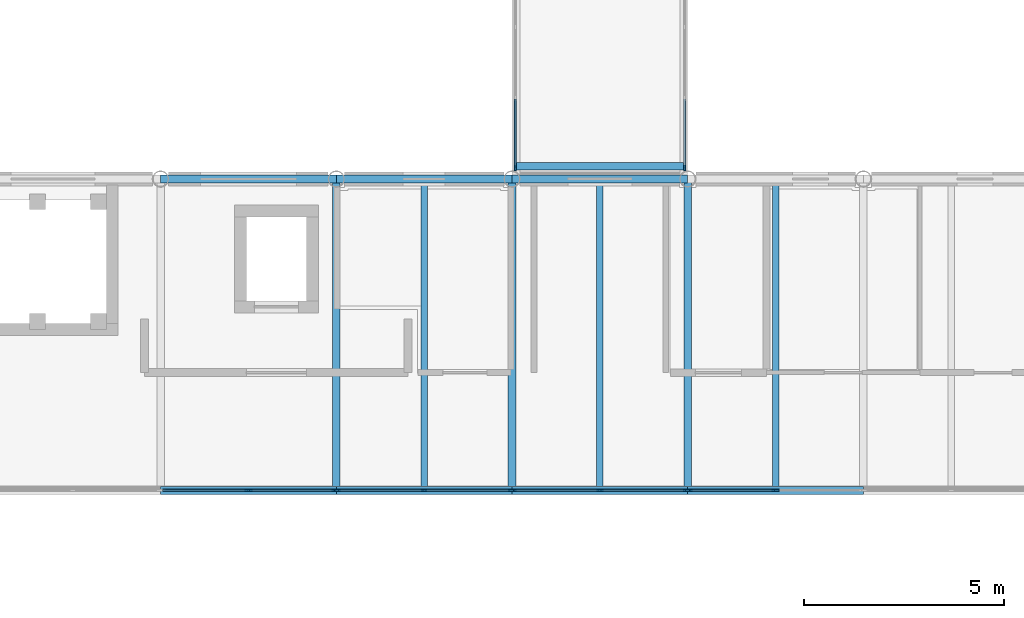
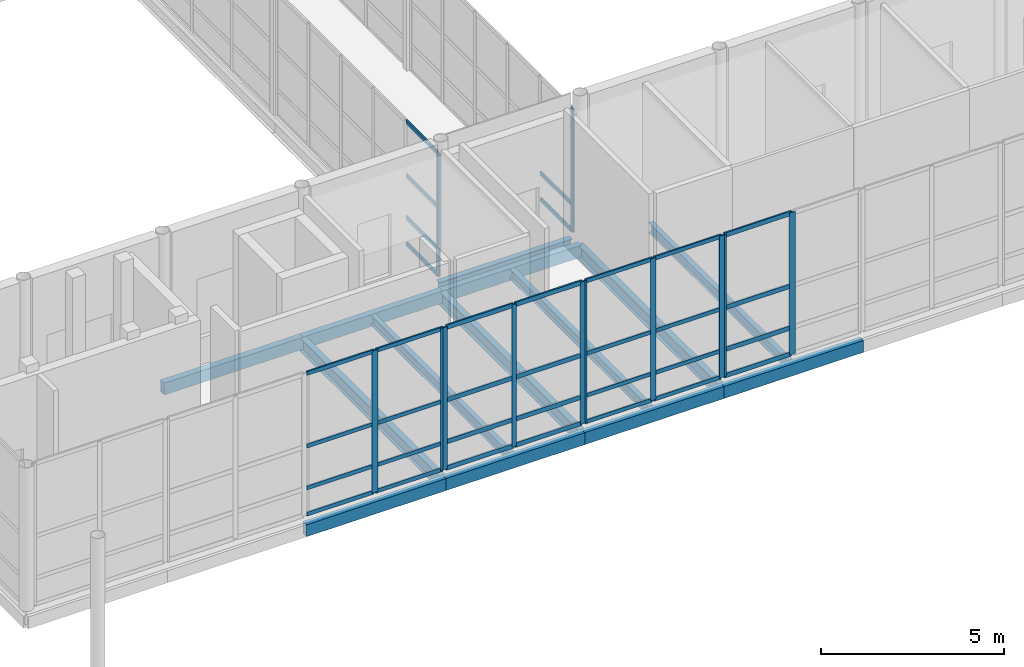
# One storey, part 47 of 138: 46 members, 14 beams, 6 elements without a shape of their own.
"""IFC4 building model written with IfcOpenShell, lengths in metres."""

from ifc_helpers import new_model, si_unit, direction, frame, origin, origin_2d, place, context, subcontext, project, spatial, rectangle, hollow_rectangle, i_section, extrude, material, layer, layer_set, material_profile, profile_set, type_object, element, aggregate, save


model = new_model("IFC4")

# Units and contexts
model_context = context("Model", 3, precision=1e-05, world=origin(), true_north=direction((0.0, 1.0)))
body_context = subcontext(model_context, "Body", "Model", "MODEL_VIEW")
ifc_project = project(units=[si_unit("LENGTHUNIT", "METRE"), si_unit("AREAUNIT", "SQUARE_METRE"), si_unit("VOLUMEUNIT", "CUBIC_METRE"), si_unit("PLANEANGLEUNIT", "RADIAN"), si_unit("MASSUNIT", "GRAM", prefix="KILO")], contexts=[model_context])

# Site, building, storey
site_placement = place(None, origin())
site = spatial("IfcSite", under=ifc_project, at=site_placement, CompositionType="ELEMENT")
building_placement = place(site_placement, origin())
building = spatial("IfcBuilding", under=site, at=building_placement, Name="Celorna Specialist Clinic", CompositionType="ELEMENT")
storey_placement = place(building_placement, frame((0.0, 0.0, 4.800048828125)))
storey = spatial("IfcBuildingStorey", under=building, at=storey_placement, Name="L01", CompositionType="ELEMENT", Elevation=4.800048828125)

# Beams
ifc_material_1 = material(Name="Steel S355", Category="steel")
ifc_material_profile_1 = material_profile(ifc_material_1, i_section(OverallWidth=0.18994140625, OverallDepth=0.449951171875, WebThickness=0.009521484375, FlangeThickness=0.0146484375, at=origin_2d()), Name="IPE 450")
ifc_profile_set_1 = profile_set([ifc_material_profile_1], Name="Steel S355")
beam_type_1 = type_object("IfcBeamType", Name="BM-09", PredefinedType="BEAM", material=ifc_profile_set_1)
for number, where, z_axis, x_axis, name in (
    (1, (67.800048828125, 70.199951171875, -0.485107421875), (0.0, 1.0, 0.0), (-1.0, 0.0, 0.0), "Transverse girder BM-09 #214"),
    (2, (72.199951171875, 70.199951171875, -0.485107421875), (0.0, 1.0, 0.0), (-1.0, 0.0, 0.0), "Transverse girder BM-09 #215"),
    (3, (76.60009765625, 70.199951171875, -0.485107421875), (0.0, 1.0, 0.0), (-1.0, 0.0, 0.0), "Transverse girder BM-09 #216"),
):
    element("IfcBeam", number, at=place(storey_placement, frame(where, z_axis=z_axis, x_axis=x_axis)), inside=storey, type_object=beam_type_1, Name=name, PredefinedType="BEAM", context=body_context, shape_type="SweptSolid", body=[
        extrude(i_section(OverallWidth=0.18994140625, OverallDepth=0.449951171875, WebThickness=0.009521484375, FlangeThickness=0.0146484375, at=origin_2d()), origin(), (0.0, 0.0, 1.0), 7.800048828125),
    ])
ifc_material_profile_2 = material_profile(ifc_material_1, i_section(OverallWidth=0.179931640625, OverallDepth=0.39990234375, WebThickness=0.008544921875, FlangeThickness=0.013427734375, at=origin_2d()), Name="IPE 400")
ifc_profile_set_2 = profile_set([ifc_material_profile_2], Name="Steel S355")
beam_type_2 = type_object("IfcBeamType", Name="BM-10", PredefinedType="BEAM", material=ifc_profile_set_2)
beam_1_placement = place(storey_placement, frame((72.300048828125, 78.320068359375, -0.420166015625), z_axis=(1.0, 0.0, 0.0), x_axis=(0.0, 1.0, 0.0)))
element("IfcBeam", 4, at=beam_1_placement, inside=storey, type_object=beam_type_2, Name="Bridge BR-04 transverse beam BM-10 #103", PredefinedType="BEAM", context=body_context, shape_type="SweptSolid", body=[
    extrude(i_section(OverallWidth=0.179931640625, OverallDepth=0.39990234375, WebThickness=0.008544921875, FlangeThickness=0.013427734375, at=origin_2d()), origin(), (0.0, 0.0, 1.0), 4.199951171875),
])
ifc_material_profile_3 = material_profile(ifc_material_1, i_section(OverallWidth=0.159912109375, OverallDepth=0.330078125, WebThickness=0.007568359375, FlangeThickness=0.011474609375, at=origin_2d()), Name="IPE 330")
ifc_profile_set_3 = profile_set([ifc_material_profile_3], Name="Steel S355")
beam_type_3 = type_object("IfcBeamType", Name="BM-12", PredefinedType="JOIST", material=ifc_profile_set_3)
for number, where, z_axis, x_axis, name in (
    (5, (70.0, 70.2880859375, -0.425048828125), (0.0, 1.0, 0.0), (-1.0, 0.0, 0.0), "Secondary floor joist BM-12 #223"),
    (6, (74.39990234375, 70.2880859375, -0.425048828125), (0.0, 1.0, 0.0), (-1.0, 0.0, 0.0), "Secondary floor joist BM-12 #224"),
    (7, (78.800048828125, 70.2880859375, -0.425048828125), (0.0, 1.0, 0.0), (-1.0, 0.0, 0.0), "Secondary floor joist BM-12 #225"),
):
    element("IfcBeam", number, at=place(storey_placement, frame(where, z_axis=z_axis, x_axis=x_axis)), inside=storey, type_object=beam_type_3, Name=name, PredefinedType="JOIST", context=body_context, shape_type="SweptSolid", body=[
        extrude(i_section(OverallWidth=0.159912109375, OverallDepth=0.330078125, WebThickness=0.007568359375, FlangeThickness=0.011474609375, at=origin_2d()), origin(), (0.0, 0.0, 1.0), 7.6240234375),
    ])
ifc_material_profile_4 = material_profile(ifc_material_1, hollow_rectangle(XDim=0.199951171875, YDim=0.39990234375, WallThickness=0.011962890625, at=origin_2d()), Name="RHS 200x400x12")
ifc_profile_set_4 = profile_set([ifc_material_profile_4], Name="Steel S355")
beam_type_4 = type_object("IfcBeamType", Name="BM-15", PredefinedType="SPANDREL", material=ifc_profile_set_4)
beam_2_placement = place(storey_placement, frame((63.39990234375, 70.199951171875, -0.4599609375), z_axis=(1.0, 0.0, 0.0), x_axis=(0.0, 1.0, 0.0)))
element("IfcBeam", 8, at=beam_2_placement, inside=storey, type_object=beam_type_4, Name="Spandrel beam BM-15 #192", PredefinedType="SPANDREL", context=body_context, shape_type="SweptSolid", body=[
    extrude(hollow_rectangle(XDim=0.199951171875, YDim=0.39990234375, WallThickness=0.011962890625, at=origin_2d()), origin(), (0.0, 0.0, 1.0), 4.400146484375),
])
beam_3_placement = place(storey_placement, frame((67.800048828125, 70.199951171875, -0.4599609375), z_axis=(1.0, 0.0, 0.0), x_axis=(0.0, 1.0, 0.0)))
element("IfcBeam", 9, at=beam_3_placement, inside=storey, type_object=beam_type_4, Name="Spandrel beam BM-15 #193", PredefinedType="SPANDREL", context=body_context, shape_type="SweptSolid", body=[
    extrude(hollow_rectangle(XDim=0.199951171875, YDim=0.39990234375, WallThickness=0.011962890625, at=origin_2d()), origin(), (0.0, 0.0, 1.0), 4.39990234375),
])
beam_4_placement = place(storey_placement, frame((72.199951171875, 70.199951171875, -0.4599609375), z_axis=(1.0, 0.0, 0.0), x_axis=(0.0, 1.0, 0.0)))
element("IfcBeam", 10, at=beam_4_placement, inside=storey, type_object=beam_type_4, Name="Spandrel beam BM-15 #194", PredefinedType="SPANDREL", context=body_context, shape_type="SweptSolid", body=[
    extrude(hollow_rectangle(XDim=0.199951171875, YDim=0.39990234375, WallThickness=0.011962890625, at=origin_2d()), origin(), (0.0, 0.0, 1.0), 4.400146484375),
])
beam_5_placement = place(storey_placement, frame((76.60009765625, 70.199951171875, -0.4599609375), z_axis=(1.0, 0.0, 0.0), x_axis=(0.0, 1.0, 0.0)))
element("IfcBeam", 11, at=beam_5_placement, inside=storey, type_object=beam_type_4, Name="Spandrel beam BM-15 #195", PredefinedType="SPANDREL", context=body_context, shape_type="SweptSolid", body=[
    extrude(hollow_rectangle(XDim=0.199951171875, YDim=0.39990234375, WallThickness=0.011962890625, at=origin_2d()), origin(), (0.0, 0.0, 1.0), 4.39990234375),
])
beam_6_placement = place(storey_placement, frame((63.39990234375, 78.0, -0.4599609375), z_axis=(1.0, 0.0, 0.0), x_axis=(0.0, 1.0, 0.0)))
element("IfcBeam", 12, at=beam_6_placement, inside=storey, type_object=beam_type_4, Name="Spandrel beam BM-15 #203", PredefinedType="SPANDREL", context=body_context, shape_type="SweptSolid", body=[
    extrude(hollow_rectangle(XDim=0.199951171875, YDim=0.39990234375, WallThickness=0.011962890625, at=origin_2d()), origin(), (0.0, 0.0, 1.0), 4.400146484375),
])
beam_7_placement = place(storey_placement, frame((67.800048828125, 78.0, -0.4599609375), z_axis=(1.0, 0.0, 0.0), x_axis=(0.0, 1.0, 0.0)))
element("IfcBeam", 13, at=beam_7_placement, inside=storey, type_object=beam_type_4, Name="Spandrel beam BM-15 #204", PredefinedType="SPANDREL", context=body_context, shape_type="SweptSolid", body=[
    extrude(hollow_rectangle(XDim=0.199951171875, YDim=0.39990234375, WallThickness=0.011962890625, at=origin_2d()), origin(), (0.0, 0.0, 1.0), 4.39990234375),
])
beam_8_placement = place(storey_placement, frame((72.199951171875, 78.0, -0.4599609375), z_axis=(1.0, 0.0, 0.0), x_axis=(0.0, 1.0, 0.0)))
element("IfcBeam", 14, at=beam_8_placement, inside=storey, type_object=beam_type_4, Name="Spandrel beam BM-15 #205", PredefinedType="SPANDREL", context=body_context, shape_type="SweptSolid", body=[
    extrude(hollow_rectangle(XDim=0.199951171875, YDim=0.39990234375, WallThickness=0.011962890625, at=origin_2d()), origin(), (0.0, 0.0, 1.0), 4.400146484375),
])

# Curtain wall, members
ifc_material_2 = material(Name="Thermally broken aluminium and solar-control glass curtain wall", Category="aluminium")
ifc_layer_1 = layer(ifc_material_2, 0.159912109375, Name="Thermally broken aluminium and solar-control glass curtain wall")
ifc_layer_set_1 = layer_set([ifc_layer_1], Name="Thermally broken aluminium and solar-control glass curtain wall")
curtain_wall_type_1 = type_object("IfcCurtainWallType", Name="CW-09", PredefinedType="NOTDEFINED", material=ifc_layer_set_1)
curtain_wall_1_placement = place(storey_placement, origin())
curtain_wall_1 = element("IfcCurtainWall", 15, at=curtain_wall_1_placement, inside=storey, type_object=curtain_wall_type_1, Name="Curtain wall CW-09 #30", PredefinedType="NOTDEFINED")
ifc_material_3 = material(Name="Anodized aluminium mullion", Category="aluminium")
ifc_material_profile_5 = material_profile(ifc_material_3, rectangle(XDim=0.050048828125, YDim=0.159912109375, at=origin_2d()), Name="ALU MULLION 50x160")
ifc_profile_set_5 = profile_set([ifc_material_profile_5], Name="Anodized aluminium mullion")
member_type_1 = type_object("IfcMemberType", Name="ML-01", PredefinedType="MULLION", material=ifc_profile_set_5)
member_1_placement = place(storey_placement, frame((76.571044921875, 70.199951171875, 0.0), z_axis=(0.0, 0.0, 1.0), x_axis=(0.0, -1.0, 0.0)))
member_1 = element("IfcMember", 16, at=member_1_placement, type_object=member_type_1, Name="CW-09 mullion 1", PredefinedType="MULLION", context=body_context, shape_type="SweptSolid", body=[
    extrude(rectangle(XDim=0.050048828125, YDim=0.159912109375, at=origin_2d()), origin(), (0.0, 0.0, 1.0), 4.75),
])
member_2_placement = place(storey_placement, frame((74.39990234375, 70.199951171875, 0.0), z_axis=(0.0, 0.0, 1.0), x_axis=(0.0, -1.0, 0.0)))
member_2 = element("IfcMember", 17, at=member_2_placement, type_object=member_type_1, Name="CW-09 mullion 2", PredefinedType="MULLION", context=body_context, shape_type="SweptSolid", body=[
    extrude(rectangle(XDim=0.050048828125, YDim=0.159912109375, at=origin_2d()), origin(), (0.0, 0.0, 1.0), 4.75),
])
member_3_placement = place(storey_placement, frame((72.22900390625, 70.199951171875, 0.0), z_axis=(0.0, 0.0, 1.0), x_axis=(0.0, -1.0, 0.0)))
member_3 = element("IfcMember", 18, at=member_3_placement, type_object=member_type_1, Name="CW-09 mullion 3", PredefinedType="MULLION", context=body_context, shape_type="SweptSolid", body=[
    extrude(rectangle(XDim=0.050048828125, YDim=0.159912109375, at=origin_2d()), origin(), (0.0, 0.0, 1.0), 4.75),
])

ifc_layer_2 = layer(ifc_material_2, 0.159912109375, Name="Thermally broken aluminium and solar-control glass curtain wall")
ifc_layer_set_2 = layer_set([ifc_layer_2], Name="Thermally broken aluminium and solar-control glass curtain wall")
curtain_wall_type_2 = type_object("IfcCurtainWallType", Name="CW-10", PredefinedType="NOTDEFINED", material=ifc_layer_set_2)
curtain_wall_2_placement = place(storey_placement, origin())
curtain_wall_2 = element("IfcCurtainWall", 19, at=curtain_wall_2_placement, inside=storey, type_object=curtain_wall_type_2, Name="Curtain wall CW-10 #28", PredefinedType="NOTDEFINED")
ifc_material_profile_6 = material_profile(ifc_material_3, rectangle(XDim=0.050048828125, YDim=0.179931640625, at=origin_2d()), Name="ALU MULLION 50x180")
ifc_profile_set_6 = profile_set([ifc_material_profile_6], Name="Anodized aluminium mullion")
member_type_2 = type_object("IfcMemberType", Name="ML-02", PredefinedType="MULLION", material=ifc_profile_set_6)
member_4_placement = place(storey_placement, frame((67.77099609375, 70.199951171875, 0.0), z_axis=(0.0, 0.0, 1.0), x_axis=(0.0, -1.0, 0.0)))
member_4 = element("IfcMember", 20, at=member_4_placement, type_object=member_type_2, Name="CW-10 mullion 1", PredefinedType="MULLION", context=body_context, shape_type="SweptSolid", body=[
    extrude(rectangle(XDim=0.050048828125, YDim=0.179931640625, at=origin_2d()), origin(), (0.0, 0.0, 1.0), 4.75),
])
member_5_placement = place(storey_placement, frame((65.60009765625, 70.199951171875, 0.0), z_axis=(0.0, 0.0, 1.0), x_axis=(0.0, -1.0, 0.0)))
member_5 = element("IfcMember", 21, at=member_5_placement, type_object=member_type_2, Name="CW-10 mullion 2", PredefinedType="MULLION", context=body_context, shape_type="SweptSolid", body=[
    extrude(rectangle(XDim=0.050048828125, YDim=0.179931640625, at=origin_2d()), origin(), (0.0, 0.0, 1.0), 4.75),
])

curtain_wall_3_placement = place(storey_placement, origin())
curtain_wall_3 = element("IfcCurtainWall", 22, at=curtain_wall_3_placement, inside=storey, type_object=curtain_wall_type_2, Name="Curtain wall CW-10 #31", PredefinedType="NOTDEFINED")
member_6_placement = place(storey_placement, frame((78.800048828125, 70.199951171875, 0.0), z_axis=(0.0, 0.0, 1.0), x_axis=(0.0, -1.0, 0.0)))
member_6 = element("IfcMember", 23, at=member_6_placement, type_object=member_type_2, Name="CW-10 mullion 2", PredefinedType="MULLION", context=body_context, shape_type="SweptSolid", body=[
    extrude(rectangle(XDim=0.050048828125, YDim=0.179931640625, at=origin_2d()), origin(), (0.0, 0.0, 1.0), 4.75),
])
member_7_placement = place(storey_placement, frame((76.62890625, 70.199951171875, 0.0), z_axis=(0.0, 0.0, 1.0), x_axis=(0.0, -1.0, 0.0)))
member_7 = element("IfcMember", 24, at=member_7_placement, type_object=member_type_2, Name="CW-10 mullion 3", PredefinedType="MULLION", context=body_context, shape_type="SweptSolid", body=[
    extrude(rectangle(XDim=0.050048828125, YDim=0.179931640625, at=origin_2d()), origin(), (0.0, 0.0, 1.0), 4.75),
])

ifc_layer_3 = layer(ifc_material_2, 0.159912109375, Name="Thermally broken aluminium and solar-control glass curtain wall")
ifc_layer_set_3 = layer_set([ifc_layer_3], Name="Thermally broken aluminium and solar-control glass curtain wall")
curtain_wall_type_3 = type_object("IfcCurtainWallType", Name="CW-11", PredefinedType="NOTDEFINED", material=ifc_layer_set_3)
curtain_wall_4_placement = place(storey_placement, origin())
curtain_wall_4 = element("IfcCurtainWall", 25, at=curtain_wall_4_placement, inside=storey, type_object=curtain_wall_type_3, Name="Curtain wall CW-11 #29", PredefinedType="NOTDEFINED")
ifc_material_profile_7 = material_profile(ifc_material_3, rectangle(XDim=0.050048828125, YDim=0.139892578125, at=origin_2d()), Name="ALU MULLION 50x140")
ifc_profile_set_7 = profile_set([ifc_material_profile_7], Name="Anodized aluminium mullion")
member_type_3 = type_object("IfcMemberType", Name="ML-03", PredefinedType="MULLION", material=ifc_profile_set_7)
member_8_placement = place(storey_placement, frame((72.1708984375, 70.199951171875, 0.0), z_axis=(0.0, 0.0, 1.0), x_axis=(0.0, -1.0, 0.0)))
member_8 = element("IfcMember", 26, at=member_8_placement, type_object=member_type_3, Name="CW-11 mullion 1", PredefinedType="MULLION", context=body_context, shape_type="SweptSolid", body=[
    extrude(rectangle(XDim=0.050048828125, YDim=0.139892578125, at=origin_2d()), origin(), (0.0, 0.0, 1.0), 4.75),
])
member_9_placement = place(storey_placement, frame((70.0, 70.199951171875, 0.0), z_axis=(0.0, 0.0, 1.0), x_axis=(0.0, -1.0, 0.0)))
member_9 = element("IfcMember", 27, at=member_9_placement, type_object=member_type_3, Name="CW-11 mullion 2", PredefinedType="MULLION", context=body_context, shape_type="SweptSolid", body=[
    extrude(rectangle(XDim=0.050048828125, YDim=0.139892578125, at=origin_2d()), origin(), (0.0, 0.0, 1.0), 4.75),
])
member_10_placement = place(storey_placement, frame((67.8291015625, 70.199951171875, 0.0), z_axis=(0.0, 0.0, 1.0), x_axis=(0.0, -1.0, 0.0)))
member_10 = element("IfcMember", 28, at=member_10_placement, type_object=member_type_3, Name="CW-11 mullion 3", PredefinedType="MULLION", context=body_context, shape_type="SweptSolid", body=[
    extrude(rectangle(XDim=0.050048828125, YDim=0.139892578125, at=origin_2d()), origin(), (0.0, 0.0, 1.0), 4.75),
])

# Curtain wall, member
ifc_layer_4 = layer(ifc_material_2, 0.159912109375, Name="Thermally broken aluminium and solar-control glass curtain wall")
ifc_layer_set_4 = layer_set([ifc_layer_4], Name="Thermally broken aluminium and solar-control glass curtain wall")
curtain_wall_type_4 = type_object("IfcCurtainWallType", Name="CW-113", PredefinedType="NOTDEFINED", material=ifc_layer_set_4)
curtain_wall_5_placement = place(storey_placement, origin())
curtain_wall_5 = element("IfcCurtainWall", 29, at=curtain_wall_5_placement, inside=storey, type_object=curtain_wall_type_4, Name="Curtain wall CW-113 #210", PredefinedType="NOTDEFINED")
member_11_placement = place(storey_placement, frame((72.280029296875, 78.27490234375, 0.0), z_axis=(0.0, 0.0, 1.0), x_axis=(-1.0, 0.0, 0.0)))
member_11 = element("IfcMember", 30, at=member_11_placement, type_object=member_type_3, Name="CW-113 mullion 1", PredefinedType="MULLION", context=body_context, shape_type="SweptSolid", body=[
    extrude(rectangle(XDim=0.050048828125, YDim=0.139892578125, at=origin_2d()), origin(), (0.0, 0.0, 1.0), 4.1298828125),
])

curtain_wall_6_placement = place(storey_placement, origin())
curtain_wall_6 = element("IfcCurtainWall", 31, at=curtain_wall_6_placement, inside=storey, type_object=curtain_wall_type_4, Name="Curtain wall CW-113 #215", PredefinedType="NOTDEFINED")
member_12_placement = place(storey_placement, frame((76.52001953125, 78.27490234375, 0.0), z_axis=(0.0, 0.0, 1.0), x_axis=(1.0, 0.0, 0.0)))
member_12 = element("IfcMember", 32, at=member_12_placement, type_object=member_type_3, Name="CW-113 mullion 6", PredefinedType="MULLION", context=body_context, shape_type="SweptSolid", body=[
    extrude(rectangle(XDim=0.050048828125, YDim=0.139892578125, at=origin_2d()), origin(), (0.0, 0.0, 1.0), 4.1298828125),
])

# Member
ifc_material_4 = material(Name="Anodized aluminium transom", Category="aluminium")
ifc_material_profile_8 = material_profile(ifc_material_4, rectangle(XDim=0.050048828125, YDim=0.1298828125, at=origin_2d()), Name="ALU TRANSOM 50x130")
ifc_profile_set_8 = profile_set([ifc_material_profile_8], Name="Anodized aluminium transom")
member_type_4 = type_object("IfcMemberType", Name="TR-01", PredefinedType="USERDEFINED", material=ifc_profile_set_8)
member_13_placement = place(storey_placement, frame((67.74609375, 70.199951171875, 0.02490234375), z_axis=(-1.0, 0.0, 0.0), x_axis=(0.0, -1.0, 0.0)))
member_13 = element("IfcMember", 33, at=member_13_placement, type_object=member_type_4, Name="CW-10 transom 1.1", ObjectType="TRANSOM", PredefinedType="USERDEFINED", context=body_context, shape_type="SweptSolid", body=[
    extrude(rectangle(XDim=0.050048828125, YDim=0.1298828125, at=origin_2d()), origin(), (0.0, 0.0, 1.0), 2.12109375),
])

member_14_placement = place(storey_placement, frame((67.74609375, 70.199951171875, 0.89990234375), z_axis=(-1.0, 0.0, 0.0), x_axis=(0.0, -1.0, 0.0)))
member_14 = element("IfcMember", 34, at=member_14_placement, type_object=member_type_4, Name="CW-10 transom 1.2", ObjectType="TRANSOM", PredefinedType="USERDEFINED", context=body_context, shape_type="SweptSolid", body=[
    extrude(rectangle(XDim=0.050048828125, YDim=0.1298828125, at=origin_2d()), origin(), (0.0, 0.0, 1.0), 2.12109375),
])

member_15_placement = place(storey_placement, frame((67.74609375, 70.199951171875, 2.300048828125), z_axis=(-1.0, 0.0, 0.0), x_axis=(0.0, -1.0, 0.0)))
member_15 = element("IfcMember", 35, at=member_15_placement, type_object=member_type_4, Name="CW-10 transom 1.3", ObjectType="TRANSOM", PredefinedType="USERDEFINED", context=body_context, shape_type="SweptSolid", body=[
    extrude(rectangle(XDim=0.050048828125, YDim=0.1298828125, at=origin_2d()), origin(), (0.0, 0.0, 1.0), 2.12109375),
])

member_16_placement = place(storey_placement, frame((67.74609375, 70.199951171875, 4.724853515625), z_axis=(-1.0, 0.0, 0.0), x_axis=(0.0, -1.0, 0.0)))
member_16 = element("IfcMember", 36, at=member_16_placement, type_object=member_type_4, Name="CW-10 transom 1.4", ObjectType="TRANSOM", PredefinedType="USERDEFINED", context=body_context, shape_type="SweptSolid", body=[
    extrude(rectangle(XDim=0.050048828125, YDim=0.1298828125, at=origin_2d()), origin(), (0.0, 0.0, 1.0), 2.12109375),
])

member_17_placement = place(storey_placement, frame((65.574951171875, 70.199951171875, 0.02490234375), z_axis=(-1.0, 0.0, 0.0), x_axis=(0.0, -1.0, 0.0)))
member_17 = element("IfcMember", 37, at=member_17_placement, type_object=member_type_4, Name="CW-10 transom 2.1", ObjectType="TRANSOM", PredefinedType="USERDEFINED", context=body_context, shape_type="SweptSolid", body=[
    extrude(rectangle(XDim=0.050048828125, YDim=0.1298828125, at=origin_2d()), origin(), (0.0, 0.0, 1.0), 2.120849609375),
])

member_18_placement = place(storey_placement, frame((65.574951171875, 70.199951171875, 0.89990234375), z_axis=(-1.0, 0.0, 0.0), x_axis=(0.0, -1.0, 0.0)))
member_18 = element("IfcMember", 38, at=member_18_placement, type_object=member_type_4, Name="CW-10 transom 2.2", ObjectType="TRANSOM", PredefinedType="USERDEFINED", context=body_context, shape_type="SweptSolid", body=[
    extrude(rectangle(XDim=0.050048828125, YDim=0.1298828125, at=origin_2d()), origin(), (0.0, 0.0, 1.0), 2.120849609375),
])

member_19_placement = place(storey_placement, frame((65.574951171875, 70.199951171875, 2.300048828125), z_axis=(-1.0, 0.0, 0.0), x_axis=(0.0, -1.0, 0.0)))
member_19 = element("IfcMember", 39, at=member_19_placement, type_object=member_type_4, Name="CW-10 transom 2.3", ObjectType="TRANSOM", PredefinedType="USERDEFINED", context=body_context, shape_type="SweptSolid", body=[
    extrude(rectangle(XDim=0.050048828125, YDim=0.1298828125, at=origin_2d()), origin(), (0.0, 0.0, 1.0), 2.120849609375),
])

member_20_placement = place(storey_placement, frame((65.574951171875, 70.199951171875, 4.724853515625), z_axis=(-1.0, 0.0, 0.0), x_axis=(0.0, -1.0, 0.0)))
member_20 = element("IfcMember", 40, at=member_20_placement, type_object=member_type_4, Name="CW-10 transom 2.4", ObjectType="TRANSOM", PredefinedType="USERDEFINED", context=body_context, shape_type="SweptSolid", body=[
    extrude(rectangle(XDim=0.050048828125, YDim=0.1298828125, at=origin_2d()), origin(), (0.0, 0.0, 1.0), 2.120849609375),
])

aggregate(curtain_wall_2, [member_4, member_5, member_13, member_14, member_15, member_16, member_17, member_18, member_19, member_20])

member_21_placement = place(storey_placement, frame((76.5458984375, 70.199951171875, 0.02490234375), z_axis=(-1.0, 0.0, 0.0), x_axis=(0.0, -1.0, 0.0)))
member_21 = element("IfcMember", 41, at=member_21_placement, type_object=member_type_4, Name="CW-09 transom 1.1", ObjectType="TRANSOM", PredefinedType="USERDEFINED", context=body_context, shape_type="SweptSolid", body=[
    extrude(rectangle(XDim=0.050048828125, YDim=0.1298828125, at=origin_2d()), origin(), (0.0, 0.0, 1.0), 2.120849609375),
])

member_22_placement = place(storey_placement, frame((76.5458984375, 70.199951171875, 0.89990234375), z_axis=(-1.0, 0.0, 0.0), x_axis=(0.0, -1.0, 0.0)))
member_22 = element("IfcMember", 42, at=member_22_placement, type_object=member_type_4, Name="CW-09 transom 1.2", ObjectType="TRANSOM", PredefinedType="USERDEFINED", context=body_context, shape_type="SweptSolid", body=[
    extrude(rectangle(XDim=0.050048828125, YDim=0.1298828125, at=origin_2d()), origin(), (0.0, 0.0, 1.0), 2.120849609375),
])

member_23_placement = place(storey_placement, frame((76.5458984375, 70.199951171875, 2.300048828125), z_axis=(-1.0, 0.0, 0.0), x_axis=(0.0, -1.0, 0.0)))
member_23 = element("IfcMember", 43, at=member_23_placement, type_object=member_type_4, Name="CW-09 transom 1.3", ObjectType="TRANSOM", PredefinedType="USERDEFINED", context=body_context, shape_type="SweptSolid", body=[
    extrude(rectangle(XDim=0.050048828125, YDim=0.1298828125, at=origin_2d()), origin(), (0.0, 0.0, 1.0), 2.120849609375),
])

member_24_placement = place(storey_placement, frame((76.5458984375, 70.199951171875, 4.724853515625), z_axis=(-1.0, 0.0, 0.0), x_axis=(0.0, -1.0, 0.0)))
member_24 = element("IfcMember", 44, at=member_24_placement, type_object=member_type_4, Name="CW-09 transom 1.4", ObjectType="TRANSOM", PredefinedType="USERDEFINED", context=body_context, shape_type="SweptSolid", body=[
    extrude(rectangle(XDim=0.050048828125, YDim=0.1298828125, at=origin_2d()), origin(), (0.0, 0.0, 1.0), 2.120849609375),
])

member_25_placement = place(storey_placement, frame((74.375, 70.199951171875, 0.02490234375), z_axis=(-1.0, 0.0, 0.0), x_axis=(0.0, -1.0, 0.0)))
member_25 = element("IfcMember", 45, at=member_25_placement, type_object=member_type_4, Name="CW-09 transom 2.1", ObjectType="TRANSOM", PredefinedType="USERDEFINED", context=body_context, shape_type="SweptSolid", body=[
    extrude(rectangle(XDim=0.050048828125, YDim=0.1298828125, at=origin_2d()), origin(), (0.0, 0.0, 1.0), 2.12109375),
])

member_26_placement = place(storey_placement, frame((74.375, 70.199951171875, 0.89990234375), z_axis=(-1.0, 0.0, 0.0), x_axis=(0.0, -1.0, 0.0)))
member_26 = element("IfcMember", 46, at=member_26_placement, type_object=member_type_4, Name="CW-09 transom 2.2", ObjectType="TRANSOM", PredefinedType="USERDEFINED", context=body_context, shape_type="SweptSolid", body=[
    extrude(rectangle(XDim=0.050048828125, YDim=0.1298828125, at=origin_2d()), origin(), (0.0, 0.0, 1.0), 2.12109375),
])

member_27_placement = place(storey_placement, frame((74.375, 70.199951171875, 2.300048828125), z_axis=(-1.0, 0.0, 0.0), x_axis=(0.0, -1.0, 0.0)))
member_27 = element("IfcMember", 47, at=member_27_placement, type_object=member_type_4, Name="CW-09 transom 2.3", ObjectType="TRANSOM", PredefinedType="USERDEFINED", context=body_context, shape_type="SweptSolid", body=[
    extrude(rectangle(XDim=0.050048828125, YDim=0.1298828125, at=origin_2d()), origin(), (0.0, 0.0, 1.0), 2.12109375),
])

member_28_placement = place(storey_placement, frame((74.375, 70.199951171875, 4.724853515625), z_axis=(-1.0, 0.0, 0.0), x_axis=(0.0, -1.0, 0.0)))
member_28 = element("IfcMember", 48, at=member_28_placement, type_object=member_type_4, Name="CW-09 transom 2.4", ObjectType="TRANSOM", PredefinedType="USERDEFINED", context=body_context, shape_type="SweptSolid", body=[
    extrude(rectangle(XDim=0.050048828125, YDim=0.1298828125, at=origin_2d()), origin(), (0.0, 0.0, 1.0), 2.12109375),
])

aggregate(curtain_wall_1, [member_1, member_2, member_3, member_21, member_22, member_23, member_24, member_25, member_26, member_27, member_28])

member_29_placement = place(storey_placement, frame((72.280029296875, 78.300048828125, 0.02490234375), z_axis=(0.0, 1.0, 0.0), x_axis=(-1.0, 0.0, 0.0)))
member_29 = element("IfcMember", 49, at=member_29_placement, type_object=member_type_4, Name="CW-113 transom 1.1", ObjectType="TRANSOM", PredefinedType="USERDEFINED", context=body_context, shape_type="SweptSolid", body=[
    extrude(rectangle(XDim=0.050048828125, YDim=0.1298828125, at=origin_2d()), origin(), (0.0, 0.0, 1.0), 1.700927734375),
])

member_30_placement = place(storey_placement, frame((72.280029296875, 78.300048828125, 0.89990234375), z_axis=(0.0, 1.0, 0.0), x_axis=(-1.0, 0.0, 0.0)))
member_30 = element("IfcMember", 50, at=member_30_placement, type_object=member_type_4, Name="CW-113 transom 1.2", ObjectType="TRANSOM", PredefinedType="USERDEFINED", context=body_context, shape_type="SweptSolid", body=[
    extrude(rectangle(XDim=0.050048828125, YDim=0.1298828125, at=origin_2d()), origin(), (0.0, 0.0, 1.0), 1.700927734375),
])

member_31_placement = place(storey_placement, frame((72.280029296875, 78.300048828125, 2.300048828125), z_axis=(0.0, 1.0, 0.0), x_axis=(-1.0, 0.0, 0.0)))
member_31 = element("IfcMember", 51, at=member_31_placement, type_object=member_type_4, Name="CW-113 transom 1.3", ObjectType="TRANSOM", PredefinedType="USERDEFINED", context=body_context, shape_type="SweptSolid", body=[
    extrude(rectangle(XDim=0.050048828125, YDim=0.1298828125, at=origin_2d()), origin(), (0.0, 0.0, 1.0), 1.700927734375),
])

member_32_placement = place(storey_placement, frame((72.280029296875, 78.300048828125, 4.10498046875), z_axis=(0.0, 1.0, 0.0), x_axis=(-1.0, 0.0, 0.0)))
member_32 = element("IfcMember", 52, at=member_32_placement, type_object=member_type_4, Name="CW-113 transom 1.4", ObjectType="TRANSOM", PredefinedType="USERDEFINED", context=body_context, shape_type="SweptSolid", body=[
    extrude(rectangle(XDim=0.050048828125, YDim=0.1298828125, at=origin_2d()), origin(), (0.0, 0.0, 1.0), 1.700927734375),
])

aggregate(curtain_wall_5, [member_11, member_29, member_30, member_31, member_32])

member_33_placement = place(storey_placement, frame((76.52001953125, 80.0009765625, 0.02490234375), z_axis=(0.0, -1.0, 0.0), x_axis=(1.0, 0.0, 0.0)))
member_33 = element("IfcMember", 53, at=member_33_placement, type_object=member_type_4, Name="CW-113 transom 5.1", ObjectType="TRANSOM", PredefinedType="USERDEFINED", context=body_context, shape_type="SweptSolid", body=[
    extrude(rectangle(XDim=0.050048828125, YDim=0.1298828125, at=origin_2d()), origin(), (0.0, 0.0, 1.0), 1.700927734375),
])

member_34_placement = place(storey_placement, frame((76.52001953125, 80.0009765625, 0.89990234375), z_axis=(0.0, -1.0, 0.0), x_axis=(1.0, 0.0, 0.0)))
member_34 = element("IfcMember", 54, at=member_34_placement, type_object=member_type_4, Name="CW-113 transom 5.2", ObjectType="TRANSOM", PredefinedType="USERDEFINED", context=body_context, shape_type="SweptSolid", body=[
    extrude(rectangle(XDim=0.050048828125, YDim=0.1298828125, at=origin_2d()), origin(), (0.0, 0.0, 1.0), 1.700927734375),
])

aggregate(curtain_wall_6, [member_12, member_33, member_34])

ifc_material_profile_9 = material_profile(ifc_material_4, rectangle(XDim=0.050048828125, YDim=0.14990234375, at=origin_2d()), Name="ALU TRANSOM 50x150")
ifc_profile_set_9 = profile_set([ifc_material_profile_9], Name="Anodized aluminium transom")
member_type_5 = type_object("IfcMemberType", Name="TR-02", PredefinedType="USERDEFINED", material=ifc_profile_set_9)
member_35_placement = place(storey_placement, frame((72.14599609375, 70.199951171875, 0.02490234375), z_axis=(-1.0, 0.0, 0.0), x_axis=(0.0, -1.0, 0.0)))
member_35 = element("IfcMember", 55, at=member_35_placement, type_object=member_type_5, Name="CW-11 transom 1.1", ObjectType="TRANSOM", PredefinedType="USERDEFINED", context=body_context, shape_type="SweptSolid", body=[
    extrude(rectangle(XDim=0.050048828125, YDim=0.14990234375, at=origin_2d()), origin(), (0.0, 0.0, 1.0), 2.12109375),
])

member_36_placement = place(storey_placement, frame((72.14599609375, 70.199951171875, 0.89990234375), z_axis=(-1.0, 0.0, 0.0), x_axis=(0.0, -1.0, 0.0)))
member_36 = element("IfcMember", 56, at=member_36_placement, type_object=member_type_5, Name="CW-11 transom 1.2", ObjectType="TRANSOM", PredefinedType="USERDEFINED", context=body_context, shape_type="SweptSolid", body=[
    extrude(rectangle(XDim=0.050048828125, YDim=0.14990234375, at=origin_2d()), origin(), (0.0, 0.0, 1.0), 2.12109375),
])

member_37_placement = place(storey_placement, frame((72.14599609375, 70.199951171875, 2.300048828125), z_axis=(-1.0, 0.0, 0.0), x_axis=(0.0, -1.0, 0.0)))
member_37 = element("IfcMember", 57, at=member_37_placement, type_object=member_type_5, Name="CW-11 transom 1.3", ObjectType="TRANSOM", PredefinedType="USERDEFINED", context=body_context, shape_type="SweptSolid", body=[
    extrude(rectangle(XDim=0.050048828125, YDim=0.14990234375, at=origin_2d()), origin(), (0.0, 0.0, 1.0), 2.12109375),
])

member_38_placement = place(storey_placement, frame((72.14599609375, 70.199951171875, 4.724853515625), z_axis=(-1.0, 0.0, 0.0), x_axis=(0.0, -1.0, 0.0)))
member_38 = element("IfcMember", 58, at=member_38_placement, type_object=member_type_5, Name="CW-11 transom 1.4", ObjectType="TRANSOM", PredefinedType="USERDEFINED", context=body_context, shape_type="SweptSolid", body=[
    extrude(rectangle(XDim=0.050048828125, YDim=0.14990234375, at=origin_2d()), origin(), (0.0, 0.0, 1.0), 2.12109375),
])

member_39_placement = place(storey_placement, frame((69.97509765625, 70.199951171875, 0.02490234375), z_axis=(-1.0, 0.0, 0.0), x_axis=(0.0, -1.0, 0.0)))
member_39 = element("IfcMember", 59, at=member_39_placement, type_object=member_type_5, Name="CW-11 transom 2.1", ObjectType="TRANSOM", PredefinedType="USERDEFINED", context=body_context, shape_type="SweptSolid", body=[
    extrude(rectangle(XDim=0.050048828125, YDim=0.14990234375, at=origin_2d()), origin(), (0.0, 0.0, 1.0), 2.12109375),
])

member_40_placement = place(storey_placement, frame((69.97509765625, 70.199951171875, 0.89990234375), z_axis=(-1.0, 0.0, 0.0), x_axis=(0.0, -1.0, 0.0)))
member_40 = element("IfcMember", 60, at=member_40_placement, type_object=member_type_5, Name="CW-11 transom 2.2", ObjectType="TRANSOM", PredefinedType="USERDEFINED", context=body_context, shape_type="SweptSolid", body=[
    extrude(rectangle(XDim=0.050048828125, YDim=0.14990234375, at=origin_2d()), origin(), (0.0, 0.0, 1.0), 2.12109375),
])

member_41_placement = place(storey_placement, frame((69.97509765625, 70.199951171875, 2.300048828125), z_axis=(-1.0, 0.0, 0.0), x_axis=(0.0, -1.0, 0.0)))
member_41 = element("IfcMember", 61, at=member_41_placement, type_object=member_type_5, Name="CW-11 transom 2.3", ObjectType="TRANSOM", PredefinedType="USERDEFINED", context=body_context, shape_type="SweptSolid", body=[
    extrude(rectangle(XDim=0.050048828125, YDim=0.14990234375, at=origin_2d()), origin(), (0.0, 0.0, 1.0), 2.12109375),
])

member_42_placement = place(storey_placement, frame((69.97509765625, 70.199951171875, 4.724853515625), z_axis=(-1.0, 0.0, 0.0), x_axis=(0.0, -1.0, 0.0)))
member_42 = element("IfcMember", 62, at=member_42_placement, type_object=member_type_5, Name="CW-11 transom 2.4", ObjectType="TRANSOM", PredefinedType="USERDEFINED", context=body_context, shape_type="SweptSolid", body=[
    extrude(rectangle(XDim=0.050048828125, YDim=0.14990234375, at=origin_2d()), origin(), (0.0, 0.0, 1.0), 2.12109375),
])

aggregate(curtain_wall_4, [member_8, member_9, member_10, member_35, member_36, member_37, member_38, member_39, member_40, member_41, member_42])

member_43_placement = place(storey_placement, frame((78.77490234375, 70.199951171875, 0.02490234375), z_axis=(-1.0, 0.0, 0.0), x_axis=(0.0, -1.0, 0.0)))
member_43 = element("IfcMember", 63, at=member_43_placement, type_object=member_type_5, Name="CW-10 transom 2.1", ObjectType="TRANSOM", PredefinedType="USERDEFINED", context=body_context, shape_type="SweptSolid", body=[
    extrude(rectangle(XDim=0.050048828125, YDim=0.14990234375, at=origin_2d()), origin(), (0.0, 0.0, 1.0), 2.120849609375),
])

member_44_placement = place(storey_placement, frame((78.77490234375, 70.199951171875, 0.89990234375), z_axis=(-1.0, 0.0, 0.0), x_axis=(0.0, -1.0, 0.0)))
member_44 = element("IfcMember", 64, at=member_44_placement, type_object=member_type_5, Name="CW-10 transom 2.2", ObjectType="TRANSOM", PredefinedType="USERDEFINED", context=body_context, shape_type="SweptSolid", body=[
    extrude(rectangle(XDim=0.050048828125, YDim=0.14990234375, at=origin_2d()), origin(), (0.0, 0.0, 1.0), 2.120849609375),
])

member_45_placement = place(storey_placement, frame((78.77490234375, 70.199951171875, 2.300048828125), z_axis=(-1.0, 0.0, 0.0), x_axis=(0.0, -1.0, 0.0)))
member_45 = element("IfcMember", 65, at=member_45_placement, type_object=member_type_5, Name="CW-10 transom 2.3", ObjectType="TRANSOM", PredefinedType="USERDEFINED", context=body_context, shape_type="SweptSolid", body=[
    extrude(rectangle(XDim=0.050048828125, YDim=0.14990234375, at=origin_2d()), origin(), (0.0, 0.0, 1.0), 2.120849609375),
])

member_46_placement = place(storey_placement, frame((78.77490234375, 70.199951171875, 4.724853515625), z_axis=(-1.0, 0.0, 0.0), x_axis=(0.0, -1.0, 0.0)))
member_46 = element("IfcMember", 66, at=member_46_placement, type_object=member_type_5, Name="CW-10 transom 2.4", ObjectType="TRANSOM", PredefinedType="USERDEFINED", context=body_context, shape_type="SweptSolid", body=[
    extrude(rectangle(XDim=0.050048828125, YDim=0.14990234375, at=origin_2d()), origin(), (0.0, 0.0, 1.0), 2.120849609375),
])

aggregate(curtain_wall_3, [member_6, member_7, member_43, member_44, member_45, member_46])

save(model, "model.ifc")
